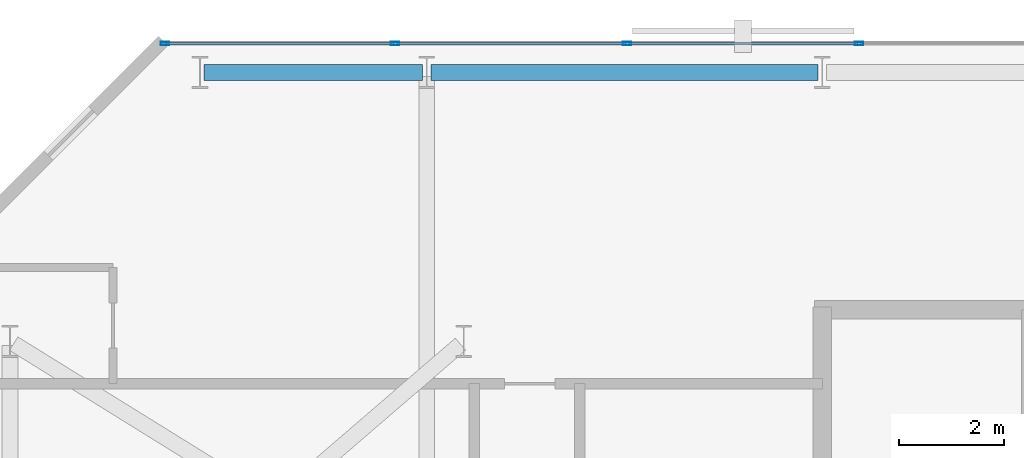
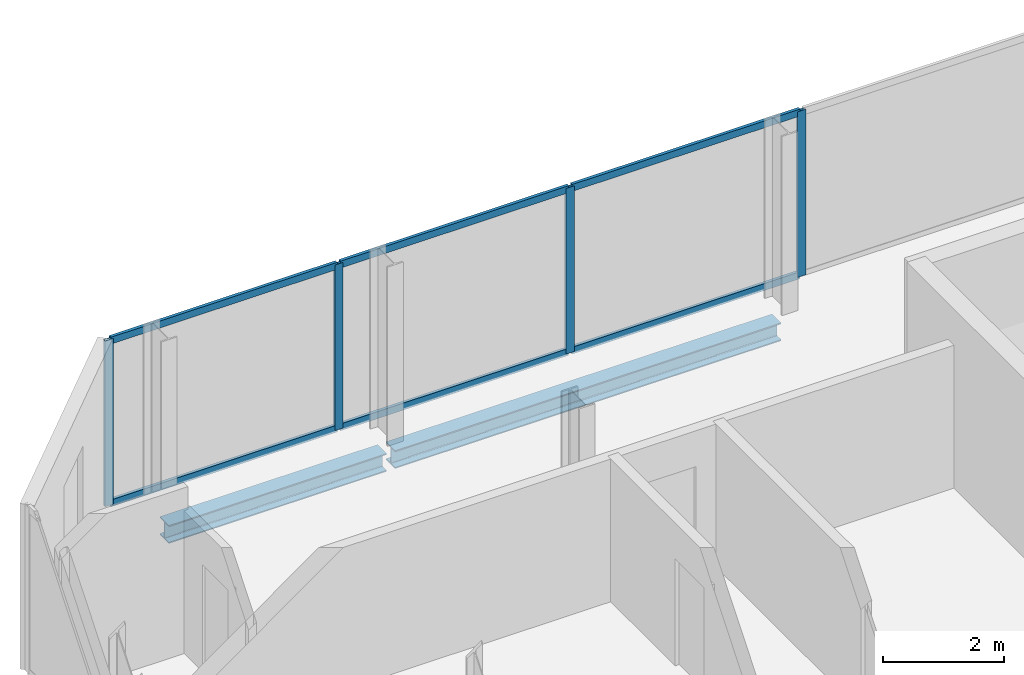
# One storey, part 19 of 32: 10 members, 2 beams, 1 element without a shape of its own.
"""IFC4 building model written with IfcOpenShell, lengths in metres."""

from ifc_helpers import new_model, si_unit, direction, frame, origin, origin_2d, place, context, subcontext, project, spatial, hollow_rectangle, i_section, extrude, material, layer, layer_set, material_profile, profile_set, type_object, element, aggregate, save


model = new_model("IFC4")

# Units and contexts
model_context = context("Model", 3, precision=1e-05, world=origin(), true_north=direction((0.0, 1.0)))
body_context = subcontext(model_context, "Body", "Model", "MODEL_VIEW")
ifc_project = project(units=[si_unit("LENGTHUNIT", "METRE"), si_unit("AREAUNIT", "SQUARE_METRE"), si_unit("VOLUMEUNIT", "CUBIC_METRE"), si_unit("PLANEANGLEUNIT", "RADIAN"), si_unit("MASSUNIT", "GRAM", prefix="KILO")], contexts=[model_context])

# Site, building, storey
site_placement = place(None, origin())
site = spatial("IfcSite", under=ifc_project, at=site_placement, CompositionType="ELEMENT")
building_placement = place(site_placement, origin())
building = spatial("IfcBuilding", under=site, at=building_placement, Name="Catumbela Crestline Tower", CompositionType="ELEMENT")
storey_placement = place(building_placement, frame((0.0, 0.0, 122.4)))
storey = spatial("IfcBuildingStorey", under=building, at=storey_placement, Name="L31", CompositionType="ELEMENT", Elevation=122.4)

# Curtain wall, members
ifc_material_1 = material(Name="Aluminium alloy AW-6060-T66", Category="aluminium")
ifc_layer = layer(ifc_material_1, 0.18, Name="Aluminium alloy AW-6060-T66")
ifc_layer_set = layer_set([ifc_layer], Name="Aluminium alloy AW-6060-T66")
curtain_wall_type = type_object("IfcCurtainWallType", Name="CWU-Z2", PredefinedType="USERDEFINED", material=ifc_layer_set)
curtain_wall_placement = place(storey_placement, origin())
curtain_wall = element("IfcCurtainWall", 1, at=curtain_wall_placement, inside=storey, type_object=curtain_wall_type, Name="L31 Unitised Curtain Wall CW-L31-E7S1", ObjectType="UNITISED", PredefinedType="USERDEFINED")
ifc_material_profile_1 = material_profile(ifc_material_1, hollow_rectangle(XDim=0.06, YDim=0.16, WallThickness=0.004, at=origin_2d()), Name="ALU 160x60x4")
ifc_profile_set_1 = profile_set([ifc_material_profile_1], Name="Aluminium alloy AW-6060-T66")
member_type_1 = type_object("IfcMemberType", Name="MUL-160X60", PredefinedType="MULLION", material=ifc_profile_set_1)
member_1_placement = place(storey_placement, frame((16.7, 47.95, 0.0), z_axis=(0.0, 0.0, 1.0), x_axis=(0.0, -1.0, 0.0)))
member_1 = element("IfcMember", 2, at=member_1_placement, type_object=member_type_1, Name="CWU-Z2 mullion 8", PredefinedType="MULLION", context=body_context, shape_type="SweptSolid", body=[
    extrude(hollow_rectangle(XDim=0.06, YDim=0.16, WallThickness=0.004, at=origin_2d()), origin(), (0.0, 0.0, 1.0), 3.33),
])
member_2_placement = place(storey_placement, frame((12.3, 47.95, 0.0), z_axis=(0.0, 0.0, 1.0), x_axis=(0.0, -1.0, 0.0)))
member_2 = element("IfcMember", 3, at=member_2_placement, type_object=member_type_1, Name="CWU-Z2 mullion 9", PredefinedType="MULLION", context=body_context, shape_type="SweptSolid", body=[
    extrude(hollow_rectangle(XDim=0.06, YDim=0.16, WallThickness=0.004, at=origin_2d()), origin(), (0.0, 0.0, 1.0), 3.33),
])
member_3_placement = place(storey_placement, frame((7.9, 47.95, 0.0), z_axis=(0.0, 0.0, 1.0), x_axis=(0.0, -1.0, 0.0)))
member_3 = element("IfcMember", 4, at=member_3_placement, type_object=member_type_1, Name="CWU-Z2 mullion 10", PredefinedType="MULLION", context=body_context, shape_type="SweptSolid", body=[
    extrude(hollow_rectangle(XDim=0.06, YDim=0.16, WallThickness=0.004, at=origin_2d()), origin(), (0.0, 0.0, 1.0), 3.33),
])
member_4_placement = place(storey_placement, frame((3.5325, 47.95, 0.0), z_axis=(0.0, 0.0, 1.0), x_axis=(0.0, -1.0, 0.0)))
member_4 = element("IfcMember", 5, at=member_4_placement, type_object=member_type_1, Name="CWU-Z2 mullion 11", PredefinedType="MULLION", context=body_context, shape_type="SweptSolid", body=[
    extrude(hollow_rectangle(XDim=0.06, YDim=0.16, WallThickness=0.004, at=origin_2d()), origin(), (0.0, 0.0, 1.0), 3.33),
])

# Beams
ifc_material_2 = material(Name="Structural steel S355J2", Category="steel")
ifc_material_profile_2 = material_profile(ifc_material_2, i_section(OverallWidth=0.3, OverallDepth=0.36, WebThickness=0.0125, FlangeThickness=0.0225, FilletRadius=0.027, at=origin_2d()), Name="HEB 360")
ifc_profile_set_2 = profile_set([ifc_material_profile_2], Name="Structural steel S355J2")
beam_type = type_object("IfcBeamType", Name="BS-HEB360", PredefinedType="SPANDREL", material=ifc_profile_set_2)
beam_1_placement = place(storey_placement, frame((4.28, 47.4, -0.44), z_axis=(1.0, 0.0, 0.0), x_axis=(0.0, 1.0, 0.0)))
element("IfcBeam", 6, at=beam_1_placement, inside=storey, type_object=beam_type, Name="L31 Spandrel SP-L31-NF17", PredefinedType="SPANDREL", context=body_context, shape_type="SweptSolid", body=[
    extrude(i_section(OverallWidth=0.3, OverallDepth=0.36, WebThickness=0.0125, FlangeThickness=0.0225, FilletRadius=0.027, at=origin_2d()), origin(), (0.0, 0.0, 1.0), 4.14),
])
beam_2_placement = place(storey_placement, frame((8.58, 47.4, -0.44), z_axis=(1.0, 0.0, 0.0), x_axis=(0.0, 1.0, 0.0)))
element("IfcBeam", 7, at=beam_2_placement, inside=storey, type_object=beam_type, Name="L31 Spandrel SP-L31-NF18", PredefinedType="SPANDREL", context=body_context, shape_type="SweptSolid", body=[
    extrude(i_section(OverallWidth=0.3, OverallDepth=0.36, WebThickness=0.0125, FlangeThickness=0.0225, FilletRadius=0.027, at=origin_2d()), origin(), (0.0, 0.0, 1.0), 7.34),
])

# Member
ifc_material_profile_3 = material_profile(ifc_material_1, hollow_rectangle(XDim=0.06, YDim=0.14, WallThickness=0.004, at=origin_2d()), Name="ALU 140x60x4")
ifc_profile_set_3 = profile_set([ifc_material_profile_3], Name="Aluminium alloy AW-6060-T66")
member_type_2 = type_object("IfcMemberType", Name="TRN-140X60", PredefinedType="USERDEFINED", material=ifc_profile_set_3)
member_5_placement = place(storey_placement, frame((16.6675, 47.95, 0.03), z_axis=(-1.0, 0.0, 0.0), x_axis=(0.0, -1.0, 0.0)))
member_5 = element("IfcMember", 8, at=member_5_placement, type_object=member_type_2, Name="CWU-Z2 transom 8.1", ObjectType="TRANSOM", PredefinedType="USERDEFINED", context=body_context, shape_type="SweptSolid", body=[
    extrude(hollow_rectangle(XDim=0.06, YDim=0.14, WallThickness=0.004, at=origin_2d()), origin(), (0.0, 0.0, 1.0), 4.335),
])

member_6_placement = place(storey_placement, frame((16.6675, 47.95, 3.3), z_axis=(-1.0, 0.0, 0.0), x_axis=(0.0, -1.0, 0.0)))
member_6 = element("IfcMember", 9, at=member_6_placement, type_object=member_type_2, Name="CWU-Z2 transom 8.2", ObjectType="TRANSOM", PredefinedType="USERDEFINED", context=body_context, shape_type="SweptSolid", body=[
    extrude(hollow_rectangle(XDim=0.06, YDim=0.14, WallThickness=0.004, at=origin_2d()), origin(), (0.0, 0.0, 1.0), 4.335),
])

member_7_placement = place(storey_placement, frame((12.2675, 47.95, 0.03), z_axis=(-1.0, 0.0, 0.0), x_axis=(0.0, -1.0, 0.0)))
member_7 = element("IfcMember", 10, at=member_7_placement, type_object=member_type_2, Name="CWU-Z2 transom 9.1", ObjectType="TRANSOM", PredefinedType="USERDEFINED", context=body_context, shape_type="SweptSolid", body=[
    extrude(hollow_rectangle(XDim=0.06, YDim=0.14, WallThickness=0.004, at=origin_2d()), origin(), (0.0, 0.0, 1.0), 4.335),
])

member_8_placement = place(storey_placement, frame((12.2675, 47.95, 3.3), z_axis=(-1.0, 0.0, 0.0), x_axis=(0.0, -1.0, 0.0)))
member_8 = element("IfcMember", 11, at=member_8_placement, type_object=member_type_2, Name="CWU-Z2 transom 9.2", ObjectType="TRANSOM", PredefinedType="USERDEFINED", context=body_context, shape_type="SweptSolid", body=[
    extrude(hollow_rectangle(XDim=0.06, YDim=0.14, WallThickness=0.004, at=origin_2d()), origin(), (0.0, 0.0, 1.0), 4.335),
])

member_9_placement = place(storey_placement, frame((7.8675, 47.95, 0.03), z_axis=(-1.0, 0.0, 0.0), x_axis=(0.0, -1.0, 0.0)))
member_9 = element("IfcMember", 12, at=member_9_placement, type_object=member_type_2, Name="CWU-Z2 transom 10.1", ObjectType="TRANSOM", PredefinedType="USERDEFINED", context=body_context, shape_type="SweptSolid", body=[
    extrude(hollow_rectangle(XDim=0.06, YDim=0.14, WallThickness=0.004, at=origin_2d()), origin(), (0.0, 0.0, 1.0), 4.3025),
])

member_10_placement = place(storey_placement, frame((7.8675, 47.95, 3.3), z_axis=(-1.0, 0.0, 0.0), x_axis=(0.0, -1.0, 0.0)))
member_10 = element("IfcMember", 13, at=member_10_placement, type_object=member_type_2, Name="CWU-Z2 transom 10.2", ObjectType="TRANSOM", PredefinedType="USERDEFINED", context=body_context, shape_type="SweptSolid", body=[
    extrude(hollow_rectangle(XDim=0.06, YDim=0.14, WallThickness=0.004, at=origin_2d()), origin(), (0.0, 0.0, 1.0), 4.3025),
])

aggregate(curtain_wall, [member_1, member_2, member_3, member_4, member_5, member_6, member_7, member_8, member_9, member_10])

save(model, "model.ifc")
